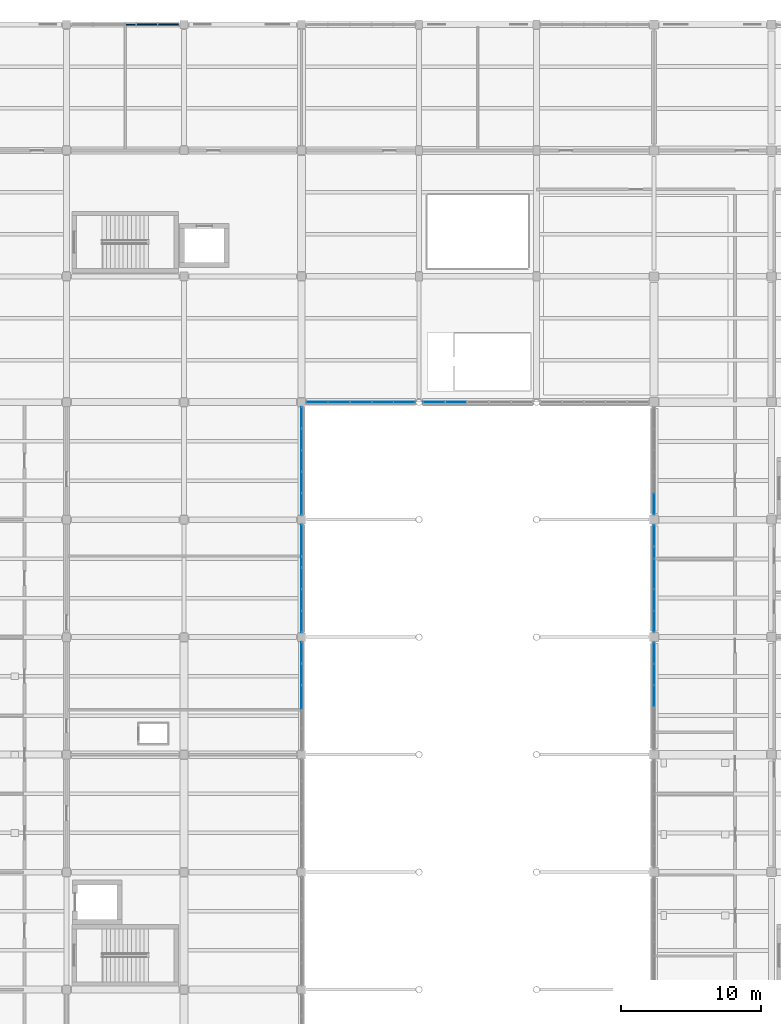
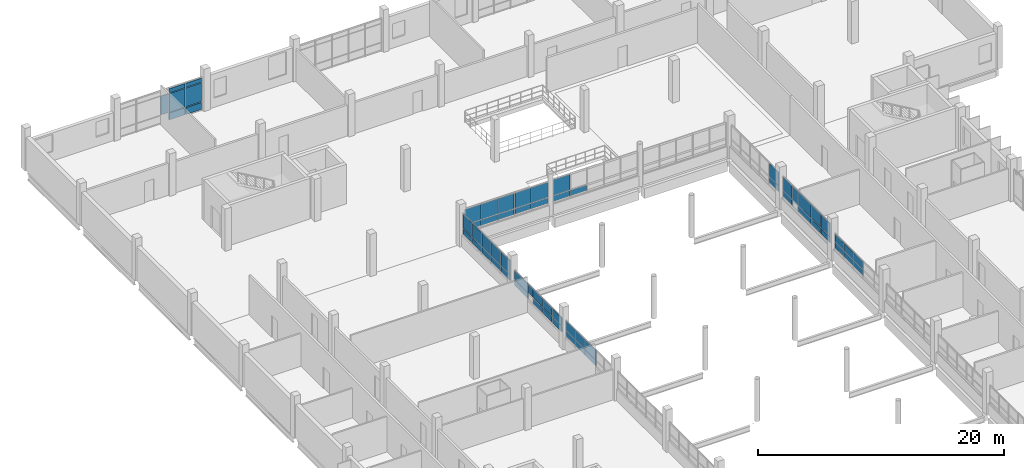
# One storey, part 77 of 101: 62 plates, 9 elements without a shape of their own.
"""IFC4 building model written with IfcOpenShell, lengths in metres."""

import ifcopenshell
import ifcopenshell.guid

model = None  # the IFC model being written
_history = None  # IfcOwnerHistory: only IFC2X3 demands one
_inside = {}  # id of a spatial element -> (the spatial element, [elements in it])
_under = {}  # id of a project, library or spatial element -> (it, [spatial elements below it])
_declared = {}  # id of a project -> (the project, [libraries it declares])
_typed = {}  # id of a type object -> (the type object, [elements of that type])
_made_of = {}  # id of a material, layer set ... -> (it, [elements and type objects made of it])


def new_model(schema):
    """Start an empty IFC model of exactly this schema.

    Asked for "IFC4X3", IfcOpenShell would pick the latest addendum, in which some entities
    have other attributes; the version numbers below select the first issue.
    IFC2X3 requires an IfcOwnerHistory on every rooted entity: one is made here for all.
    """
    global model, _history
    if schema == "IFC4X3":
        model = ifcopenshell.file(schema_version=(4, 3, 0, 0))
    else:
        model = ifcopenshell.file(schema=schema)
    _inside.clear()
    _under.clear()
    _declared.clear()
    _typed.clear()
    _made_of.clear()
    _history = None
    if model.schema == "IFC2X3":
        org = make("IfcOrganization", Name="unknown")
        user = make(
            "IfcPersonAndOrganization",
            ThePerson=make("IfcPerson", FamilyName="unknown"),
            TheOrganization=org,
        )
        app = make(
            "IfcApplication",
            ApplicationDeveloper=org,
            Version="unknown",
            ApplicationFullName="unknown",
            ApplicationIdentifier="unknown",
        )
        _history = make(
            "IfcOwnerHistory",
            OwningUser=user,
            OwningApplication=app,
            ChangeAction="ADDED",
            CreationDate=0,
        )
    return model


def make(cls, **values):
    """One entity of the class cls with the attributes given. An attribute that is None is left unset."""
    return model.create_entity(
        cls, **{name: value for name, value in values.items() if value is not None}
    )


def rooted(cls, **values):
    """An entity with a GlobalId (a new one), such as an element, a storey or a relation."""
    return make(cls, GlobalId=ifcopenshell.guid.new(), OwnerHistory=_history, **values)


def si_unit(unit_type, name, prefix=None):
    """IfcSIUnit, for example si_unit("LENGTHUNIT", "METRE", prefix="MILLI")."""
    return make("IfcSIUnit", UnitType=unit_type, Prefix=prefix, Name=name)


def assignment(units):
    """IfcUnitAssignment: the units of a project."""
    return None if units is None else make("IfcUnitAssignment", Units=units)


def point(xyz):
    """IfcCartesianPoint."""
    return None if xyz is None else make("IfcCartesianPoint", Coordinates=xyz)


def direction(xyz):
    """IfcDirection."""
    return None if xyz is None else make("IfcDirection", DirectionRatios=xyz)


def frame(location, z_axis=None, x_axis=None):
    """IfcAxis2Placement3D, a coordinate frame: its origin and axes. An axis left out is left unset."""
    return make(
        "IfcAxis2Placement3D",
        Location=point(location),
        Axis=direction(z_axis),
        RefDirection=direction(x_axis),
    )


def frame_2d(location, x_axis=None):
    """IfcAxis2Placement2D, a coordinate frame in the plane: its origin and x axis."""
    return make(
        "IfcAxis2Placement2D", Location=point(location), RefDirection=direction(x_axis)
    )


def origin():
    """The frame at (0, 0, 0) with its axes left unset."""
    return frame((0.0, 0.0, 0.0))


def origin_2d():
    """The frame at (0, 0) in the plane with its x axis left unset."""
    return frame_2d((0.0, 0.0))


def place(relative_to, where):
    """IfcLocalPlacement: puts the frame where relative to a parent placement (None: the world)."""
    return make(
        "IfcLocalPlacement", PlacementRelTo=relative_to, RelativePlacement=where
    )


def context(
    kind, dimensions, precision=None, world=None, true_north=None, identifier=None
):
    """IfcGeometricRepresentationContext, for example the 3D "Model" context."""
    return make(
        "IfcGeometricRepresentationContext",
        ContextIdentifier=identifier,
        ContextType=kind,
        CoordinateSpaceDimension=dimensions,
        Precision=precision,
        WorldCoordinateSystem=world,
        TrueNorth=true_north,
    )


def subcontext(parent, identifier, kind, view, scale=None):
    """IfcGeometricRepresentationSubContext, for example "Body" below "Model"."""
    return make(
        "IfcGeometricRepresentationSubContext",
        ContextIdentifier=identifier,
        ContextType=kind,
        ParentContext=parent,
        TargetScale=scale,
        TargetView=view,
    )


def project(units=None, contexts=None):
    """IfcProject with its units and contexts."""
    return rooted(
        "IfcProject",
        Name="project",
        RepresentationContexts=contexts,
        UnitsInContext=assignment(units),
    )


def spatial(cls, under=None, at=None, **own):
    """A site, building, storey or space (cls), placed at a placement, below another one or the project."""
    s = rooted(cls, ObjectPlacement=at, **own)
    if under is not None:
        _under.setdefault(under.id(), (under, []))[1].append(s)
    return s


def profile(cls, at=None, kind="AREA", **sizes):
    """A parametric profile (cls). Its sizes go by their IFC names, for example OverallWidth=200.0."""
    return make(cls, ProfileType=kind, Position=at, **sizes)


def rectangle(**sizes):
    """IfcRectangleProfileDef."""
    return profile("IfcRectangleProfileDef", **sizes)


def extrude(swept, where, along, depth):
    """IfcExtrudedAreaSolid: the profile swept, set in the frame where, extruded along a direction by depth."""
    return make(
        "IfcExtrudedAreaSolid",
        SweptArea=swept,
        Position=where,
        ExtrudedDirection=direction(along),
        Depth=depth,
    )


def shape(context_of_items, identifier, shape_type, items):
    """IfcShapeRepresentation: the items that make up one representation, for example the "Body"."""
    return make(
        "IfcShapeRepresentation",
        ContextOfItems=context_of_items,
        RepresentationIdentifier=identifier,
        RepresentationType=shape_type,
        Items=items,
    )


def material(Name=None, Category=None):
    """IfcMaterial."""
    return make("IfcMaterial", Name=Name, Category=Category)


def layer(
    of_material, thickness, ventilated=None, Name=None, Category=None, Priority=None
):
    """IfcMaterialLayer: one layer of a wall or slab, of a material (None: an air gap)."""
    return make(
        "IfcMaterialLayer",
        Material=of_material,
        LayerThickness=thickness,
        IsVentilated=ventilated,
        Name=Name,
        Category=Category,
        Priority=Priority,
    )


def layer_set(layers, Name=None):
    """IfcMaterialLayerSet."""
    return make("IfcMaterialLayerSet", MaterialLayers=layers, LayerSetName=Name)


def made_of(thing, what):
    """Note that an element or type object is made of a material, layer set ...; save() writes the relation."""
    if what is not None:
        _made_of.setdefault(what.id(), (what, []))[1].append(thing)
    return thing


def type_object(cls, material=None, **own):
    """A type object (cls), such as IfcWallType, which elements share."""
    return made_of(rooted(cls, **own), material)


def element(
    cls,
    number,
    at=None,
    inside=None,
    cuts=None,
    type_object=None,
    material=None,
    context=None,
    identifier="Body",
    shape_type=None,
    held_by="IfcProductDefinitionShape",
    body=None,
    shapes=None,
    **own,
):
    """One element of the class cls, such as IfcWall. Its Tag is "e" and its number.

    at: its placement. inside: the storey or other place that contains it. cuts: it is an
    opening in that element (IfcRelVoidsElement). A single representation is given by context,
    identifier, shape_type and body (its items); several are given by shapes. held_by: the class
    of the entity that holds the representations. save() writes the other relations.
    """
    e = rooted(cls, Tag="e%d" % number, ObjectPlacement=at, **own)
    if body is not None:
        shapes = [shape(context, identifier, shape_type, body)]
    if shapes is not None:
        e.Representation = make(held_by, Representations=shapes)
    if inside is not None:
        _inside.setdefault(inside.id(), (inside, []))[1].append(e)
    if cuts is not None:
        rooted(
            "IfcRelVoidsElement", RelatingBuildingElement=cuts, RelatedOpeningElement=e
        )
    if type_object is not None:
        _typed.setdefault(type_object.id(), (type_object, []))[1].append(e)
    return made_of(e, material)


def aggregate(whole, parts):
    """IfcRelAggregates: a whole, such as a stair, and the parts it consists of."""
    return rooted("IfcRelAggregates", RelatingObject=whole, RelatedObjects=parts)


def save(model, path):
    """Write the relations noted so far, then the file.

    IfcRelAggregates (storeys below a building ...), IfcRelContainedInSpatialStructure (elements
    in a storey), IfcRelDefinesByType, IfcRelAssociatesMaterial and IfcRelDeclares: one each for
    every whole, place, type object, material and project.
    """
    for whole, parts in _under.values():
        aggregate(whole, parts)
    for where, things in _inside.values():
        rooted(
            "IfcRelContainedInSpatialStructure",
            RelatedElements=things,
            RelatingStructure=where,
        )
    for kind, things in _typed.values():
        rooted("IfcRelDefinesByType", RelatedObjects=things, RelatingType=kind)
    for what, things in _made_of.values():
        rooted("IfcRelAssociatesMaterial", RelatedObjects=things, RelatingMaterial=what)
    for by, libraries in _declared.values():
        rooted("IfcRelDeclares", RelatingContext=by, RelatedDefinitions=libraries)
    model.write(path)


model = new_model("IFC4")

# Units and contexts
model_context = context("Model", 3, precision=1e-05, world=origin(), true_north=direction((0.0, 1.0)))
body_context = subcontext(model_context, "Body", "Model", "MODEL_VIEW")
ifc_project = project(units=[si_unit("LENGTHUNIT", "METRE"), si_unit("AREAUNIT", "SQUARE_METRE"), si_unit("VOLUMEUNIT", "CUBIC_METRE"), si_unit("PLANEANGLEUNIT", "RADIAN"), si_unit("MASSUNIT", "GRAM", prefix="KILO")], contexts=[model_context])

# Site, building, storey
site_placement = place(None, origin())
site = spatial("IfcSite", under=ifc_project, at=site_placement, CompositionType="ELEMENT")
building_placement = place(site_placement, origin())
building = spatial("IfcBuilding", under=site, at=building_placement, Name="Vireocrest Preparatory School", CompositionType="ELEMENT")
storey_placement = place(building_placement, frame((0.0, 0.0, 4.800048828125)))
storey = spatial("IfcBuildingStorey", under=building, at=storey_placement, Name="L01", CompositionType="ELEMENT", Elevation=4.800048828125)

# Curtain wall, plates
ifc_material_1 = material(Name="Thermally broken aluminium EN AW-6063-T6", Category="aluminium")
ifc_layer_1 = layer(ifc_material_1, 0.179931640625)
ifc_layer_set_1 = layer_set([ifc_layer_1], Name="Thermally broken aluminium EN AW-6063-T6")
curtain_wall_type_1 = type_object("IfcCurtainWallType", Name="North Street Curtain Wall 8400x4000", PredefinedType="USERDEFINED", material=ifc_layer_set_1)
curtain_wall_1_placement = place(storey_placement, origin())
curtain_wall_1 = element("IfcCurtainWall", 1, at=curtain_wall_1_placement, inside=storey, type_object=curtain_wall_type_1, Name="Curtain Wall CW05 CW_L01_CW05_0507_1128_048", ObjectType="CURTAIN WALL", PredefinedType="USERDEFINED")
ifc_material_2 = material(Name="Insulated triple low-e tempered safety glass", Category="glass")
ifc_layer_2 = layer(ifc_material_2, 0.074951171875)
ifc_layer_set_2 = layer_set([ifc_layer_2], Name="Insulated triple low-e tempered safety glass")
plate_type_1 = type_object("IfcPlateType", Name="Acoustic Triple-Glazed Lab Curtain Panel 75", PredefinedType="CURTAIN_PANEL", material=ifc_layer_set_2)
plate_1_placement = place(storey_placement, frame((54.986572265625, 112.800048828125, 0.882568359375), z_axis=(0.0, 0.0, 1.0), x_axis=(1.0, 0.0, 0.0)))
plate_1 = element("IfcPlate", 2, at=plate_1_placement, type_object=plate_type_1, Name="CW Panel GL2 CW_L01_CW05_0507_1128_048-3-2", PredefinedType="CURTAIN_PANEL", context=body_context, shape_type="SweptSolid", body=[
    extrude(rectangle(XDim=0.7080078125, YDim=0.074951171875, at=origin_2d()), origin(), (0.0, 0.0, 1.0), 1.85498046875),
])
plate_2_placement = place(storey_placement, frame((56.14599609375, 112.800048828125, 0.882568359375), z_axis=(0.0, 0.0, 1.0), x_axis=(1.0, 0.0, 0.0)))
plate_2 = element("IfcPlate", 3, at=plate_2_placement, type_object=plate_type_1, Name="CW Panel GL2 CW_L01_CW05_0507_1128_048-4-2", PredefinedType="CURTAIN_PANEL", context=body_context, shape_type="SweptSolid", body=[
    extrude(rectangle(XDim=1.48095703125, YDim=0.074951171875, at=origin_2d()), origin(), (0.0, 0.0, 1.0), 1.85498046875),
])
plate_3_placement = place(storey_placement, frame((56.14599609375, 112.800048828125, 2.802734375), z_axis=(0.0, 0.0, 1.0), x_axis=(1.0, 0.0, 0.0)))
plate_3 = element("IfcPlate", 4, at=plate_3_placement, type_object=plate_type_1, Name="CW Panel GL2 CW_L01_CW05_0507_1128_048-4-3", PredefinedType="CURTAIN_PANEL", context=body_context, shape_type="SweptSolid", body=[
    extrude(rectangle(XDim=1.48095703125, YDim=0.074951171875, at=origin_2d()), origin(), (0.0, 0.0, 1.0), 0.409912109375),
])
plate_4_placement = place(storey_placement, frame((57.69189453125, 112.800048828125, 0.882568359375), z_axis=(0.0, 0.0, 1.0), x_axis=(1.0, 0.0, 0.0)))
plate_4 = element("IfcPlate", 5, at=plate_4_placement, type_object=plate_type_1, Name="CW Panel GL2 CW_L01_CW05_0507_1128_048-5-2", PredefinedType="CURTAIN_PANEL", context=body_context, shape_type="SweptSolid", body=[
    extrude(rectangle(XDim=1.48095703125, YDim=0.074951171875, at=origin_2d()), origin(), (0.0, 0.0, 1.0), 1.85498046875),
])
plate_5_placement = place(storey_placement, frame((57.69189453125, 112.800048828125, 2.802734375), z_axis=(0.0, 0.0, 1.0), x_axis=(1.0, 0.0, 0.0)))
plate_5 = element("IfcPlate", 6, at=plate_5_placement, type_object=plate_type_1, Name="CW Panel GL2 CW_L01_CW05_0507_1128_048-5-3", PredefinedType="CURTAIN_PANEL", context=body_context, shape_type="SweptSolid", body=[
    extrude(rectangle(XDim=1.48095703125, YDim=0.074951171875, at=origin_2d()), origin(), (0.0, 0.0, 1.0), 0.409912109375),
])
ifc_material_3 = material(Name="Painted white aluminium cladding EN AW-6063-T6", Category="aluminium")
ifc_layer_3 = layer(ifc_material_3, 0.114990234375)
ifc_layer_set_3 = layer_set([ifc_layer_3], Name="Painted white aluminium cladding EN AW-6063-T6")
plate_type_2 = type_object("IfcPlateType", Name="Insulated White Spandrel Curtain Panel 115", PredefinedType="CURTAIN_PANEL", material=ifc_layer_set_3)
plate_6_placement = place(storey_placement, frame((56.14599609375, 112.800048828125, 0.12744140625), z_axis=(0.0, 0.0, 1.0), x_axis=(1.0, 0.0, 0.0)))
plate_6 = element("IfcPlate", 7, at=plate_6_placement, type_object=plate_type_2, Name="CW Panel SP2 CW_L01_CW05_0507_1128_048-4-1", PredefinedType="CURTAIN_PANEL", context=body_context, shape_type="SweptSolid", body=[
    extrude(rectangle(XDim=1.48095703125, YDim=0.114990234375, at=origin_2d()), origin(), (0.0, 0.0, 1.0), 0.68994140625),
])
plate_7_placement = place(storey_placement, frame((57.69189453125, 112.800048828125, 0.12744140625), z_axis=(0.0, 0.0, 1.0), x_axis=(1.0, 0.0, 0.0)))
plate_7 = element("IfcPlate", 8, at=plate_7_placement, type_object=plate_type_2, Name="CW Panel SP2 CW_L01_CW05_0507_1128_048-5-1", PredefinedType="CURTAIN_PANEL", context=body_context, shape_type="SweptSolid", body=[
    extrude(rectangle(XDim=1.48095703125, YDim=0.114990234375, at=origin_2d()), origin(), (0.0, 0.0, 1.0), 0.68994140625),
])
aggregate(curtain_wall_1, [plate_1, plate_6, plate_2, plate_3, plate_7, plate_4, plate_5])

ifc_layer_4 = layer(ifc_material_1, 0.179931640625)
ifc_layer_set_4 = layer_set([ifc_layer_4], Name="Thermally broken aluminium EN AW-6063-T6")
curtain_wall_type_2 = type_object("IfcCurtainWallType", Name="Court Banded Curtain Wall 8400x3000", PredefinedType="USERDEFINED", material=ifc_layer_set_4)
curtain_wall_2_placement = place(storey_placement, origin())
curtain_wall_2 = element("IfcCurtainWall", 9, at=curtain_wall_2_placement, inside=storey, type_object=curtain_wall_type_2, Name="Curtain Wall CW02 CW_L01_CW02_0672_0609_060", ObjectType="CURTAIN WALL", PredefinedType="USERDEFINED")
ifc_layer_5 = layer(ifc_material_2, 0.06005859375)
ifc_layer_set_5 = layer_set([ifc_layer_5], Name="Insulated triple low-e tempered safety glass")
plate_type_3 = type_object("IfcPlateType", Name="Triple-Glazed Vision Curtain Panel 60", PredefinedType="CURTAIN_PANEL", material=ifc_layer_set_5)
plate_8_placement = place(storey_placement, frame((67.199951171875, 64.6865234375, 1.27734375), z_axis=(0.0, 0.0, 1.0), x_axis=(0.0, 1.0, 0.0)))
plate_8 = element("IfcPlate", 10, at=plate_8_placement, type_object=plate_type_3, Name="CW Panel GL1 CW_L01_CW02_0672_0609_060-3-1", PredefinedType="CURTAIN_PANEL", context=body_context, shape_type="SweptSolid", body=[
    extrude(rectangle(XDim=1.7080078125, YDim=0.06005859375, at=origin_2d()), origin(), (0.0, 0.0, 1.0), 0.5400390625),
])
plate_9_placement = place(storey_placement, frame((67.199951171875, 64.6865234375, 1.882568359375), z_axis=(0.0, 0.0, 1.0), x_axis=(0.0, 1.0, 0.0)))
plate_9 = element("IfcPlate", 11, at=plate_9_placement, type_object=plate_type_3, Name="CW Panel GL1 CW_L01_CW02_0672_0609_060-3-2", PredefinedType="CURTAIN_PANEL", context=body_context, shape_type="SweptSolid", body=[
    extrude(rectangle(XDim=1.7080078125, YDim=0.06005859375, at=origin_2d()), origin(), (0.0, 0.0, 1.0), 0.919921875),
])
plate_10_placement = place(storey_placement, frame((67.199951171875, 66.345947265625, 1.27734375), z_axis=(0.0, 0.0, 1.0), x_axis=(0.0, 1.0, 0.0)))
plate_10 = element("IfcPlate", 12, at=plate_10_placement, type_object=plate_type_3, Name="CW Panel GL1 CW_L01_CW02_0672_0609_060-4-1", PredefinedType="CURTAIN_PANEL", context=body_context, shape_type="SweptSolid", body=[
    extrude(rectangle(XDim=1.48095703125, YDim=0.06005859375, at=origin_2d()), origin(), (0.0, 0.0, 1.0), 0.5400390625),
])
plate_11_placement = place(storey_placement, frame((67.199951171875, 66.345947265625, 1.882568359375), z_axis=(0.0, 0.0, 1.0), x_axis=(0.0, 1.0, 0.0)))
plate_11 = element("IfcPlate", 13, at=plate_11_placement, type_object=plate_type_3, Name="CW Panel GL1 CW_L01_CW02_0672_0609_060-4-2", PredefinedType="CURTAIN_PANEL", context=body_context, shape_type="SweptSolid", body=[
    extrude(rectangle(XDim=1.48095703125, YDim=0.06005859375, at=origin_2d()), origin(), (0.0, 0.0, 1.0), 0.919921875),
])
plate_12_placement = place(storey_placement, frame((67.199951171875, 67.89208984375, 1.27734375), z_axis=(0.0, 0.0, 1.0), x_axis=(0.0, 1.0, 0.0)))
plate_12 = element("IfcPlate", 14, at=plate_12_placement, type_object=plate_type_3, Name="CW Panel GL1 CW_L01_CW02_0672_0609_060-5-1", PredefinedType="CURTAIN_PANEL", context=body_context, shape_type="SweptSolid", body=[
    extrude(rectangle(XDim=1.48095703125, YDim=0.06005859375, at=origin_2d()), origin(), (0.0, 0.0, 1.0), 0.5400390625),
])
plate_13_placement = place(storey_placement, frame((67.199951171875, 67.89208984375, 1.882568359375), z_axis=(0.0, 0.0, 1.0), x_axis=(0.0, 1.0, 0.0)))
plate_13 = element("IfcPlate", 15, at=plate_13_placement, type_object=plate_type_3, Name="CW Panel GL1 CW_L01_CW02_0672_0609_060-5-2", PredefinedType="CURTAIN_PANEL", context=body_context, shape_type="SweptSolid", body=[
    extrude(rectangle(XDim=1.48095703125, YDim=0.06005859375, at=origin_2d()), origin(), (0.0, 0.0, 1.0), 0.919921875),
])
aggregate(curtain_wall_2, [plate_8, plate_9, plate_10, plate_11, plate_12, plate_13])

curtain_wall_3_placement = place(storey_placement, origin())
curtain_wall_3 = element("IfcCurtainWall", 16, at=curtain_wall_3_placement, inside=storey, type_object=curtain_wall_type_2, Name="Curtain Wall CW02 CW_L01_CW02_0672_0693_060", ObjectType="CURTAIN WALL", PredefinedType="USERDEFINED")
plate_14_placement = place(storey_placement, frame((67.199951171875, 70.10791015625, 1.27734375), z_axis=(0.0, 0.0, 1.0), x_axis=(0.0, 1.0, 0.0)))
plate_14 = element("IfcPlate", 17, at=plate_14_placement, type_object=plate_type_3, Name="CW Panel GL1 CW_L01_CW02_0672_0693_060-1-1", PredefinedType="CURTAIN_PANEL", context=body_context, shape_type="SweptSolid", body=[
    extrude(rectangle(XDim=1.48095703125, YDim=0.06005859375, at=origin_2d()), origin(), (0.0, 0.0, 1.0), 0.5400390625),
])
plate_15_placement = place(storey_placement, frame((67.199951171875, 70.10791015625, 1.88232421875), z_axis=(0.0, 0.0, 1.0), x_axis=(0.0, 1.0, 0.0)))
plate_15 = element("IfcPlate", 18, at=plate_15_placement, type_object=plate_type_3, Name="CW Panel GL1 CW_L01_CW02_0672_0693_060-1-2", PredefinedType="CURTAIN_PANEL", context=body_context, shape_type="SweptSolid", body=[
    extrude(rectangle(XDim=1.48095703125, YDim=0.06005859375, at=origin_2d()), origin(), (0.0, 0.0, 1.0), 0.820068359375),
])
plate_16_placement = place(storey_placement, frame((67.199951171875, 71.654052734375, 1.27734375), z_axis=(0.0, 0.0, 1.0), x_axis=(0.0, 1.0, 0.0)))
plate_16 = element("IfcPlate", 19, at=plate_16_placement, type_object=plate_type_3, Name="CW Panel GL1 CW_L01_CW02_0672_0693_060-2-1", PredefinedType="CURTAIN_PANEL", context=body_context, shape_type="SweptSolid", body=[
    extrude(rectangle(XDim=1.48095703125, YDim=0.06005859375, at=origin_2d()), origin(), (0.0, 0.0, 1.0), 0.5400390625),
])
plate_17_placement = place(storey_placement, frame((67.199951171875, 71.654052734375, 1.88232421875), z_axis=(0.0, 0.0, 1.0), x_axis=(0.0, 1.0, 0.0)))
plate_17 = element("IfcPlate", 20, at=plate_17_placement, type_object=plate_type_3, Name="CW Panel GL1 CW_L01_CW02_0672_0693_060-2-2", PredefinedType="CURTAIN_PANEL", context=body_context, shape_type="SweptSolid", body=[
    extrude(rectangle(XDim=1.48095703125, YDim=0.06005859375, at=origin_2d()), origin(), (0.0, 0.0, 1.0), 0.820068359375),
])
plate_18_placement = place(storey_placement, frame((67.199951171875, 73.199951171875, 1.27734375), z_axis=(0.0, 0.0, 1.0), x_axis=(0.0, 1.0, 0.0)))
plate_18 = element("IfcPlate", 21, at=plate_18_placement, type_object=plate_type_3, Name="CW Panel GL1 CW_L01_CW02_0672_0693_060-3-1", PredefinedType="CURTAIN_PANEL", context=body_context, shape_type="SweptSolid", body=[
    extrude(rectangle(XDim=1.48095703125, YDim=0.06005859375, at=origin_2d()), origin(), (0.0, 0.0, 1.0), 0.5400390625),
])
plate_19_placement = place(storey_placement, frame((67.199951171875, 73.199951171875, 1.88232421875), z_axis=(0.0, 0.0, 1.0), x_axis=(0.0, 1.0, 0.0)))
plate_19 = element("IfcPlate", 22, at=plate_19_placement, type_object=plate_type_3, Name="CW Panel GL1 CW_L01_CW02_0672_0693_060-3-2", PredefinedType="CURTAIN_PANEL", context=body_context, shape_type="SweptSolid", body=[
    extrude(rectangle(XDim=1.48095703125, YDim=0.06005859375, at=origin_2d()), origin(), (0.0, 0.0, 1.0), 0.820068359375),
])
plate_20_placement = place(storey_placement, frame((67.199951171875, 74.386474609375, 1.88232421875), z_axis=(0.0, 0.0, 1.0), x_axis=(0.0, 1.0, 0.0)))
plate_20 = element("IfcPlate", 23, at=plate_20_placement, type_object=plate_type_3, Name="CW Panel GL1 CW_L01_CW02_0672_0693_060-4-2", PredefinedType="CURTAIN_PANEL", context=body_context, shape_type="SweptSolid", body=[
    extrude(rectangle(XDim=0.761962890625, YDim=0.06005859375, at=origin_2d()), origin(), (0.0, 0.0, 1.0), 0.820068359375),
])
plate_21_placement = place(storey_placement, frame((67.199951171875, 75.9326171875, 1.27734375), z_axis=(0.0, 0.0, 1.0), x_axis=(0.0, 1.0, 0.0)))
plate_21 = element("IfcPlate", 24, at=plate_21_placement, type_object=plate_type_3, Name="CW Panel GL1 CW_L01_CW02_0672_0693_060-5-1", PredefinedType="CURTAIN_PANEL", context=body_context, shape_type="SweptSolid", body=[
    extrude(rectangle(XDim=2.199951171875, YDim=0.06005859375, at=origin_2d()), origin(), (0.0, 0.0, 1.0), 0.5400390625),
])
plate_22_placement = place(storey_placement, frame((67.199951171875, 75.9326171875, 1.88232421875), z_axis=(0.0, 0.0, 1.0), x_axis=(0.0, 1.0, 0.0)))
plate_22 = element("IfcPlate", 25, at=plate_22_placement, type_object=plate_type_3, Name="CW Panel GL1 CW_L01_CW02_0672_0693_060-5-2", PredefinedType="CURTAIN_PANEL", context=body_context, shape_type="SweptSolid", body=[
    extrude(rectangle(XDim=2.199951171875, YDim=0.06005859375, at=origin_2d()), origin(), (0.0, 0.0, 1.0), 0.820068359375),
])
aggregate(curtain_wall_3, [plate_14, plate_15, plate_16, plate_17, plate_18, plate_19, plate_20, plate_21, plate_22])

curtain_wall_4_placement = place(storey_placement, origin())
curtain_wall_4 = element("IfcCurtainWall", 26, at=curtain_wall_4_placement, inside=storey, type_object=curtain_wall_type_2, Name="Curtain Wall CW02 CW_L01_CW02_0672_0777_060", ObjectType="CURTAIN WALL", PredefinedType="USERDEFINED")
plate_23_placement = place(storey_placement, frame((67.199951171875, 78.508056640625, 1.27734375), z_axis=(0.0, 0.0, 1.0), x_axis=(0.0, 1.0, 0.0)))
plate_23 = element("IfcPlate", 27, at=plate_23_placement, type_object=plate_type_3, Name="CW Panel GL1 CW_L01_CW02_0672_0777_060-1-1", PredefinedType="CURTAIN_PANEL", context=body_context, shape_type="SweptSolid", body=[
    extrude(rectangle(XDim=1.48095703125, YDim=0.06005859375, at=origin_2d()), origin(), (0.0, 0.0, 1.0), 0.5400390625),
])
plate_24_placement = place(storey_placement, frame((67.199951171875, 78.508056640625, 1.88232421875), z_axis=(0.0, 0.0, 1.0), x_axis=(0.0, 1.0, 0.0)))
plate_24 = element("IfcPlate", 28, at=plate_24_placement, type_object=plate_type_3, Name="CW Panel GL1 CW_L01_CW02_0672_0777_060-1-2", PredefinedType="CURTAIN_PANEL", context=body_context, shape_type="SweptSolid", body=[
    extrude(rectangle(XDim=1.48095703125, YDim=0.06005859375, at=origin_2d()), origin(), (0.0, 0.0, 1.0), 1.3701171875),
])
plate_25_placement = place(storey_placement, frame((67.199951171875, 80.053955078125, 1.27734375), z_axis=(0.0, 0.0, 1.0), x_axis=(0.0, 1.0, 0.0)))
plate_25 = element("IfcPlate", 29, at=plate_25_placement, type_object=plate_type_3, Name="CW Panel GL1 CW_L01_CW02_0672_0777_060-2-1", PredefinedType="CURTAIN_PANEL", context=body_context, shape_type="SweptSolid", body=[
    extrude(rectangle(XDim=1.48095703125, YDim=0.06005859375, at=origin_2d()), origin(), (0.0, 0.0, 1.0), 0.5400390625),
])
plate_26_placement = place(storey_placement, frame((67.199951171875, 80.053955078125, 1.88232421875), z_axis=(0.0, 0.0, 1.0), x_axis=(0.0, 1.0, 0.0)))
plate_26 = element("IfcPlate", 30, at=plate_26_placement, type_object=plate_type_3, Name="CW Panel GL1 CW_L01_CW02_0672_0777_060-2-2", PredefinedType="CURTAIN_PANEL", context=body_context, shape_type="SweptSolid", body=[
    extrude(rectangle(XDim=1.48095703125, YDim=0.06005859375, at=origin_2d()), origin(), (0.0, 0.0, 1.0), 1.3701171875),
])
plate_27_placement = place(storey_placement, frame((67.199951171875, 81.60009765625, 1.27734375), z_axis=(0.0, 0.0, 1.0), x_axis=(0.0, 1.0, 0.0)))
plate_27 = element("IfcPlate", 31, at=plate_27_placement, type_object=plate_type_3, Name="CW Panel GL1 CW_L01_CW02_0672_0777_060-3-1", PredefinedType="CURTAIN_PANEL", context=body_context, shape_type="SweptSolid", body=[
    extrude(rectangle(XDim=1.48095703125, YDim=0.06005859375, at=origin_2d()), origin(), (0.0, 0.0, 1.0), 0.5400390625),
])
plate_28_placement = place(storey_placement, frame((67.199951171875, 81.60009765625, 1.88232421875), z_axis=(0.0, 0.0, 1.0), x_axis=(0.0, 1.0, 0.0)))
plate_28 = element("IfcPlate", 32, at=plate_28_placement, type_object=plate_type_3, Name="CW Panel GL1 CW_L01_CW02_0672_0777_060-3-2", PredefinedType="CURTAIN_PANEL", context=body_context, shape_type="SweptSolid", body=[
    extrude(rectangle(XDim=1.48095703125, YDim=0.06005859375, at=origin_2d()), origin(), (0.0, 0.0, 1.0), 1.3701171875),
])
plate_29_placement = place(storey_placement, frame((67.199951171875, 83.14599609375, 1.27734375), z_axis=(0.0, 0.0, 1.0), x_axis=(0.0, 1.0, 0.0)))
plate_29 = element("IfcPlate", 33, at=plate_29_placement, type_object=plate_type_3, Name="CW Panel GL1 CW_L01_CW02_0672_0777_060-4-1", PredefinedType="CURTAIN_PANEL", context=body_context, shape_type="SweptSolid", body=[
    extrude(rectangle(XDim=1.48095703125, YDim=0.06005859375, at=origin_2d()), origin(), (0.0, 0.0, 1.0), 0.5400390625),
])
plate_30_placement = place(storey_placement, frame((67.199951171875, 83.14599609375, 1.88232421875), z_axis=(0.0, 0.0, 1.0), x_axis=(0.0, 1.0, 0.0)))
plate_30 = element("IfcPlate", 34, at=plate_30_placement, type_object=plate_type_3, Name="CW Panel GL1 CW_L01_CW02_0672_0777_060-4-2", PredefinedType="CURTAIN_PANEL", context=body_context, shape_type="SweptSolid", body=[
    extrude(rectangle(XDim=1.48095703125, YDim=0.06005859375, at=origin_2d()), origin(), (0.0, 0.0, 1.0), 1.3701171875),
])
plate_31_placement = place(storey_placement, frame((67.199951171875, 84.69189453125, 1.27734375), z_axis=(0.0, 0.0, 1.0), x_axis=(0.0, 1.0, 0.0)))
plate_31 = element("IfcPlate", 35, at=plate_31_placement, type_object=plate_type_3, Name="CW Panel GL1 CW_L01_CW02_0672_0777_060-5-1", PredefinedType="CURTAIN_PANEL", context=body_context, shape_type="SweptSolid", body=[
    extrude(rectangle(XDim=1.48095703125, YDim=0.06005859375, at=origin_2d()), origin(), (0.0, 0.0, 1.0), 0.5400390625),
])
plate_32_placement = place(storey_placement, frame((67.199951171875, 84.69189453125, 1.88232421875), z_axis=(0.0, 0.0, 1.0), x_axis=(0.0, 1.0, 0.0)))
plate_32 = element("IfcPlate", 36, at=plate_32_placement, type_object=plate_type_3, Name="CW Panel GL1 CW_L01_CW02_0672_0777_060-5-2", PredefinedType="CURTAIN_PANEL", context=body_context, shape_type="SweptSolid", body=[
    extrude(rectangle(XDim=1.48095703125, YDim=0.06005859375, at=origin_2d()), origin(), (0.0, 0.0, 1.0), 1.3701171875),
])
aggregate(curtain_wall_4, [plate_23, plate_24, plate_25, plate_26, plate_27, plate_28, plate_29, plate_30, plate_31, plate_32])

ifc_layer_6 = layer(ifc_material_1, 0.179931640625)
ifc_layer_set_6 = layer_set([ifc_layer_6], Name="Thermally broken aluminium EN AW-6063-T6")
curtain_wall_type_3 = type_object("IfcCurtainWallType", Name="Court Banded Curtain Wall 8400x3600", PredefinedType="USERDEFINED", material=ifc_layer_set_6)
curtain_wall_5_placement = place(storey_placement, origin())
curtain_wall_5 = element("IfcCurtainWall", 37, at=curtain_wall_5_placement, inside=storey, type_object=curtain_wall_type_3, Name="Curtain Wall CW01 CW_L01_CW01_0675_0858_059", ObjectType="CURTAIN WALL", PredefinedType="USERDEFINED")
plate_33_placement = place(storey_placement, frame((68.315185546875, 85.800048828125, 1.2275390625), z_axis=(0.0, 0.0, 1.0), x_axis=(1.0, 0.0, 0.0)))
plate_33 = element("IfcPlate", 38, at=plate_33_placement, type_object=plate_type_3, Name="CW Panel GL1 CW_L01_CW01_0675_0858_059-1-1", PredefinedType="CURTAIN_PANEL", context=body_context, shape_type="SweptSolid", body=[
    extrude(rectangle(XDim=1.495361328125, YDim=0.06005859375, at=origin_2d()), origin(), (0.0, 0.0, 1.0), 0.5400390625),
])
plate_34_placement = place(storey_placement, frame((68.315185546875, 85.800048828125, 1.83251953125), z_axis=(0.0, 0.0, 1.0), x_axis=(1.0, 0.0, 0.0)))
plate_34 = element("IfcPlate", 39, at=plate_34_placement, type_object=plate_type_3, Name="CW Panel GL1 CW_L01_CW01_0675_0858_059-1-2", PredefinedType="CURTAIN_PANEL", context=body_context, shape_type="SweptSolid", body=[
    extrude(rectangle(XDim=1.495361328125, YDim=0.06005859375, at=origin_2d()), origin(), (0.0, 0.0, 1.0), 1.489990234375),
])
plate_35_placement = place(storey_placement, frame((69.87548828125, 85.800048828125, 1.2275390625), z_axis=(0.0, 0.0, 1.0), x_axis=(1.0, 0.0, 0.0)))
plate_35 = element("IfcPlate", 40, at=plate_35_placement, type_object=plate_type_3, Name="CW Panel GL1 CW_L01_CW01_0675_0858_059-2-1", PredefinedType="CURTAIN_PANEL", context=body_context, shape_type="SweptSolid", body=[
    extrude(rectangle(XDim=1.495361328125, YDim=0.06005859375, at=origin_2d()), origin(), (0.0, 0.0, 1.0), 0.5400390625),
])
plate_36_placement = place(storey_placement, frame((69.87548828125, 85.800048828125, 1.83251953125), z_axis=(0.0, 0.0, 1.0), x_axis=(1.0, 0.0, 0.0)))
plate_36 = element("IfcPlate", 41, at=plate_36_placement, type_object=plate_type_3, Name="CW Panel GL1 CW_L01_CW01_0675_0858_059-2-2", PredefinedType="CURTAIN_PANEL", context=body_context, shape_type="SweptSolid", body=[
    extrude(rectangle(XDim=1.495361328125, YDim=0.06005859375, at=origin_2d()), origin(), (0.0, 0.0, 1.0), 1.489990234375),
])
plate_37_placement = place(storey_placement, frame((71.435791015625, 85.800048828125, 1.2275390625), z_axis=(0.0, 0.0, 1.0), x_axis=(1.0, 0.0, 0.0)))
plate_37 = element("IfcPlate", 42, at=plate_37_placement, type_object=plate_type_3, Name="CW Panel GL1 CW_L01_CW01_0675_0858_059-3-1", PredefinedType="CURTAIN_PANEL", context=body_context, shape_type="SweptSolid", body=[
    extrude(rectangle(XDim=1.4951171875, YDim=0.06005859375, at=origin_2d()), origin(), (0.0, 0.0, 1.0), 0.5400390625),
])
plate_38_placement = place(storey_placement, frame((71.435791015625, 85.800048828125, 1.83251953125), z_axis=(0.0, 0.0, 1.0), x_axis=(1.0, 0.0, 0.0)))
plate_38 = element("IfcPlate", 43, at=plate_38_placement, type_object=plate_type_3, Name="CW Panel GL1 CW_L01_CW01_0675_0858_059-3-2", PredefinedType="CURTAIN_PANEL", context=body_context, shape_type="SweptSolid", body=[
    extrude(rectangle(XDim=1.4951171875, YDim=0.06005859375, at=origin_2d()), origin(), (0.0, 0.0, 1.0), 1.489990234375),
])
plate_39_placement = place(storey_placement, frame((72.995849609375, 85.800048828125, 1.2275390625), z_axis=(0.0, 0.0, 1.0), x_axis=(1.0, 0.0, 0.0)))
plate_39 = element("IfcPlate", 44, at=plate_39_placement, type_object=plate_type_3, Name="CW Panel GL1 CW_L01_CW01_0675_0858_059-4-1", PredefinedType="CURTAIN_PANEL", context=body_context, shape_type="SweptSolid", body=[
    extrude(rectangle(XDim=1.495361328125, YDim=0.06005859375, at=origin_2d()), origin(), (0.0, 0.0, 1.0), 0.5400390625),
])
plate_40_placement = place(storey_placement, frame((72.995849609375, 85.800048828125, 1.83251953125), z_axis=(0.0, 0.0, 1.0), x_axis=(1.0, 0.0, 0.0)))
plate_40 = element("IfcPlate", 45, at=plate_40_placement, type_object=plate_type_3, Name="CW Panel GL1 CW_L01_CW01_0675_0858_059-4-2", PredefinedType="CURTAIN_PANEL", context=body_context, shape_type="SweptSolid", body=[
    extrude(rectangle(XDim=1.495361328125, YDim=0.06005859375, at=origin_2d()), origin(), (0.0, 0.0, 1.0), 1.489990234375),
])
plate_41_placement = place(storey_placement, frame((74.55615234375, 85.800048828125, 1.2275390625), z_axis=(0.0, 0.0, 1.0), x_axis=(1.0, 0.0, 0.0)))
plate_41 = element("IfcPlate", 46, at=plate_41_placement, type_object=plate_type_3, Name="CW Panel GL1 CW_L01_CW01_0675_0858_059-5-1", PredefinedType="CURTAIN_PANEL", context=body_context, shape_type="SweptSolid", body=[
    extrude(rectangle(XDim=1.495361328125, YDim=0.06005859375, at=origin_2d()), origin(), (0.0, 0.0, 1.0), 0.5400390625),
])
plate_42_placement = place(storey_placement, frame((74.55615234375, 85.800048828125, 1.83251953125), z_axis=(0.0, 0.0, 1.0), x_axis=(1.0, 0.0, 0.0)))
plate_42 = element("IfcPlate", 47, at=plate_42_placement, type_object=plate_type_3, Name="CW Panel GL1 CW_L01_CW01_0675_0858_059-5-2", PredefinedType="CURTAIN_PANEL", context=body_context, shape_type="SweptSolid", body=[
    extrude(rectangle(XDim=1.495361328125, YDim=0.06005859375, at=origin_2d()), origin(), (0.0, 0.0, 1.0), 1.489990234375),
])
aggregate(curtain_wall_5, [plate_33, plate_34, plate_35, plate_36, plate_37, plate_38, plate_39, plate_40, plate_41, plate_42])

curtain_wall_6_placement = place(storey_placement, origin())
curtain_wall_6 = element("IfcCurtainWall", 48, at=curtain_wall_6_placement, inside=storey, type_object=curtain_wall_type_3, Name="Curtain Wall CW01 CW_L01_CW01_0758_0858_059", ObjectType="CURTAIN WALL", PredefinedType="USERDEFINED")
plate_43_placement = place(storey_placement, frame((76.65087890625, 85.800048828125, 1.2275390625), z_axis=(0.0, 0.0, 1.0), x_axis=(1.0, 0.0, 0.0)))
plate_43 = element("IfcPlate", 49, at=plate_43_placement, type_object=plate_type_3, Name="CW Panel GL1 CW_L01_CW01_0758_0858_059-1-1", PredefinedType="CURTAIN_PANEL", context=body_context, shape_type="SweptSolid", body=[
    extrude(rectangle(XDim=1.509521484375, YDim=0.06005859375, at=origin_2d()), origin(), (0.0, 0.0, 1.0), 0.5400390625),
])
plate_44_placement = place(storey_placement, frame((76.65087890625, 85.800048828125, 1.83251953125), z_axis=(0.0, 0.0, 1.0), x_axis=(1.0, 0.0, 0.0)))
plate_44 = element("IfcPlate", 50, at=plate_44_placement, type_object=plate_type_3, Name="CW Panel GL1 CW_L01_CW01_0758_0858_059-1-2", PredefinedType="CURTAIN_PANEL", context=body_context, shape_type="SweptSolid", body=[
    extrude(rectangle(XDim=1.509521484375, YDim=0.06005859375, at=origin_2d()), origin(), (0.0, 0.0, 1.0), 1.5400390625),
])
plate_45_placement = place(storey_placement, frame((78.2255859375, 85.800048828125, 1.2275390625), z_axis=(0.0, 0.0, 1.0), x_axis=(1.0, 0.0, 0.0)))
plate_45 = element("IfcPlate", 51, at=plate_45_placement, type_object=plate_type_3, Name="CW Panel GL1 CW_L01_CW01_0758_0858_059-2-1", PredefinedType="CURTAIN_PANEL", context=body_context, shape_type="SweptSolid", body=[
    extrude(rectangle(XDim=1.509521484375, YDim=0.06005859375, at=origin_2d()), origin(), (0.0, 0.0, 1.0), 0.5400390625),
])
aggregate(curtain_wall_6, [plate_43, plate_44, plate_45])

curtain_wall_7_placement = place(storey_placement, origin())
curtain_wall_7 = element("IfcCurtainWall", 52, at=curtain_wall_7_placement, inside=storey, type_object=curtain_wall_type_2, Name="Curtain Wall CW02 CW_L01_CW02_0924_0609_060", ObjectType="CURTAIN WALL", PredefinedType="USERDEFINED")
plate_46_placement = place(storey_placement, frame((92.39990234375, 64.800048828125, 1.27734375), z_axis=(0.0, 0.0, 1.0), x_axis=(0.0, 1.0, 0.0)))
plate_46 = element("IfcPlate", 53, at=plate_46_placement, type_object=plate_type_3, Name="CW Panel GL1 CW_L01_CW02_0924_0609_060-3-1", PredefinedType="CURTAIN_PANEL", context=body_context, shape_type="SweptSolid", body=[
    extrude(rectangle(XDim=1.470947265625, YDim=0.06005859375, at=origin_2d()), origin(), (0.0, 0.0, 1.0), 0.5400390625),
])
plate_47_placement = place(storey_placement, frame((92.39990234375, 64.800048828125, 1.88232421875), z_axis=(0.0, 0.0, 1.0), x_axis=(0.0, 1.0, 0.0)))
plate_47 = element("IfcPlate", 54, at=plate_47_placement, type_object=plate_type_3, Name="CW Panel GL1 CW_L01_CW02_0924_0609_060-3-2", PredefinedType="CURTAIN_PANEL", context=body_context, shape_type="SweptSolid", body=[
    extrude(rectangle(XDim=1.470947265625, YDim=0.06005859375, at=origin_2d()), origin(), (0.0, 0.0, 1.0), 0.760009765625),
])
plate_48_placement = place(storey_placement, frame((92.39990234375, 66.3359375, 1.27734375), z_axis=(0.0, 0.0, 1.0), x_axis=(0.0, 1.0, 0.0)))
plate_48 = element("IfcPlate", 55, at=plate_48_placement, type_object=plate_type_3, Name="CW Panel GL1 CW_L01_CW02_0924_0609_060-4-1", PredefinedType="CURTAIN_PANEL", context=body_context, shape_type="SweptSolid", body=[
    extrude(rectangle(XDim=1.470947265625, YDim=0.06005859375, at=origin_2d()), origin(), (0.0, 0.0, 1.0), 0.5400390625),
])
plate_49_placement = place(storey_placement, frame((92.39990234375, 66.3359375, 1.88232421875), z_axis=(0.0, 0.0, 1.0), x_axis=(0.0, 1.0, 0.0)))
plate_49 = element("IfcPlate", 56, at=plate_49_placement, type_object=plate_type_3, Name="CW Panel GL1 CW_L01_CW02_0924_0609_060-4-2", PredefinedType="CURTAIN_PANEL", context=body_context, shape_type="SweptSolid", body=[
    extrude(rectangle(XDim=1.470947265625, YDim=0.06005859375, at=origin_2d()), origin(), (0.0, 0.0, 1.0), 0.760009765625),
])
plate_50_placement = place(storey_placement, frame((92.39990234375, 67.8720703125, 1.27734375), z_axis=(0.0, 0.0, 1.0), x_axis=(0.0, 1.0, 0.0)))
plate_50 = element("IfcPlate", 57, at=plate_50_placement, type_object=plate_type_3, Name="CW Panel GL1 CW_L01_CW02_0924_0609_060-5-1", PredefinedType="CURTAIN_PANEL", context=body_context, shape_type="SweptSolid", body=[
    extrude(rectangle(XDim=1.470947265625, YDim=0.06005859375, at=origin_2d()), origin(), (0.0, 0.0, 1.0), 0.5400390625),
])
plate_51_placement = place(storey_placement, frame((92.39990234375, 67.8720703125, 1.88232421875), z_axis=(0.0, 0.0, 1.0), x_axis=(0.0, 1.0, 0.0)))
plate_51 = element("IfcPlate", 58, at=plate_51_placement, type_object=plate_type_3, Name="CW Panel GL1 CW_L01_CW02_0924_0609_060-5-2", PredefinedType="CURTAIN_PANEL", context=body_context, shape_type="SweptSolid", body=[
    extrude(rectangle(XDim=1.470947265625, YDim=0.06005859375, at=origin_2d()), origin(), (0.0, 0.0, 1.0), 0.760009765625),
])
aggregate(curtain_wall_7, [plate_46, plate_47, plate_48, plate_49, plate_50, plate_51])

curtain_wall_8_placement = place(storey_placement, origin())
curtain_wall_8 = element("IfcCurtainWall", 59, at=curtain_wall_8_placement, inside=storey, type_object=curtain_wall_type_2, Name="Curtain Wall CW02 CW_L01_CW02_0924_0693_060", ObjectType="CURTAIN WALL", PredefinedType="USERDEFINED")
plate_52_placement = place(storey_placement, frame((92.39990234375, 70.1279296875, 1.27734375), z_axis=(0.0, 0.0, 1.0), x_axis=(0.0, 1.0, 0.0)))
plate_52 = element("IfcPlate", 60, at=plate_52_placement, type_object=plate_type_3, Name="CW Panel GL1 CW_L01_CW02_0924_0693_060-1-1", PredefinedType="CURTAIN_PANEL", context=body_context, shape_type="SweptSolid", body=[
    extrude(rectangle(XDim=1.470947265625, YDim=0.06005859375, at=origin_2d()), origin(), (0.0, 0.0, 1.0), 0.5400390625),
])
plate_53_placement = place(storey_placement, frame((92.39990234375, 70.1279296875, 1.88232421875), z_axis=(0.0, 0.0, 1.0), x_axis=(0.0, 1.0, 0.0)))
plate_53 = element("IfcPlate", 61, at=plate_53_placement, type_object=plate_type_3, Name="CW Panel GL1 CW_L01_CW02_0924_0693_060-1-2", PredefinedType="CURTAIN_PANEL", context=body_context, shape_type="SweptSolid", body=[
    extrude(rectangle(XDim=1.470947265625, YDim=0.06005859375, at=origin_2d()), origin(), (0.0, 0.0, 1.0), 1.31005859375),
])
plate_54_placement = place(storey_placement, frame((92.39990234375, 71.6640625, 1.27734375), z_axis=(0.0, 0.0, 1.0), x_axis=(0.0, 1.0, 0.0)))
plate_54 = element("IfcPlate", 62, at=plate_54_placement, type_object=plate_type_3, Name="CW Panel GL1 CW_L01_CW02_0924_0693_060-2-1", PredefinedType="CURTAIN_PANEL", context=body_context, shape_type="SweptSolid", body=[
    extrude(rectangle(XDim=1.470947265625, YDim=0.06005859375, at=origin_2d()), origin(), (0.0, 0.0, 1.0), 0.5400390625),
])
plate_55_placement = place(storey_placement, frame((92.39990234375, 71.6640625, 1.88232421875), z_axis=(0.0, 0.0, 1.0), x_axis=(0.0, 1.0, 0.0)))
plate_55 = element("IfcPlate", 63, at=plate_55_placement, type_object=plate_type_3, Name="CW Panel GL1 CW_L01_CW02_0924_0693_060-2-2", PredefinedType="CURTAIN_PANEL", context=body_context, shape_type="SweptSolid", body=[
    extrude(rectangle(XDim=1.470947265625, YDim=0.06005859375, at=origin_2d()), origin(), (0.0, 0.0, 1.0), 1.31005859375),
])
plate_56_placement = place(storey_placement, frame((92.39990234375, 73.51611328125, 1.27734375), z_axis=(0.0, 0.0, 1.0), x_axis=(0.0, 1.0, 0.0)))
plate_56 = element("IfcPlate", 64, at=plate_56_placement, type_object=plate_type_3, Name="CW Panel GL1 CW_L01_CW02_0924_0693_060-3-1", PredefinedType="CURTAIN_PANEL", context=body_context, shape_type="SweptSolid", body=[
    extrude(rectangle(XDim=2.10302734375, YDim=0.06005859375, at=origin_2d()), origin(), (0.0, 0.0, 1.0), 0.5400390625),
])
plate_57_placement = place(storey_placement, frame((92.39990234375, 73.51611328125, 1.88232421875), z_axis=(0.0, 0.0, 1.0), x_axis=(0.0, 1.0, 0.0)))
plate_57 = element("IfcPlate", 65, at=plate_57_placement, type_object=plate_type_3, Name="CW Panel GL1 CW_L01_CW02_0924_0693_060-3-2", PredefinedType="CURTAIN_PANEL", context=body_context, shape_type="SweptSolid", body=[
    extrude(rectangle(XDim=2.10302734375, YDim=0.06005859375, at=origin_2d()), origin(), (0.0, 0.0, 1.0), 1.31005859375),
])
plate_58_placement = place(storey_placement, frame((92.39990234375, 75.052001953125, 1.88232421875), z_axis=(0.0, 0.0, 1.0), x_axis=(0.0, 1.0, 0.0)))
plate_58 = element("IfcPlate", 66, at=plate_58_placement, type_object=plate_type_3, Name="CW Panel GL1 CW_L01_CW02_0924_0693_060-4-2", PredefinedType="CURTAIN_PANEL", context=body_context, shape_type="SweptSolid", body=[
    extrude(rectangle(XDim=0.839111328125, YDim=0.06005859375, at=origin_2d()), origin(), (0.0, 0.0, 1.0), 1.31005859375),
])
plate_59_placement = place(storey_placement, frame((92.39990234375, 76.27197265625, 1.27734375), z_axis=(0.0, 0.0, 1.0), x_axis=(0.0, 1.0, 0.0)))
plate_59 = element("IfcPlate", 67, at=plate_59_placement, type_object=plate_type_3, Name="CW Panel GL1 CW_L01_CW02_0924_0693_060-5-1", PredefinedType="CURTAIN_PANEL", context=body_context, shape_type="SweptSolid", body=[
    extrude(rectangle(XDim=1.470947265625, YDim=0.06005859375, at=origin_2d()), origin(), (0.0, 0.0, 1.0), 0.5400390625),
])
plate_60_placement = place(storey_placement, frame((92.39990234375, 76.27197265625, 1.88232421875), z_axis=(0.0, 0.0, 1.0), x_axis=(0.0, 1.0, 0.0)))
plate_60 = element("IfcPlate", 68, at=plate_60_placement, type_object=plate_type_3, Name="CW Panel GL1 CW_L01_CW02_0924_0693_060-5-2", PredefinedType="CURTAIN_PANEL", context=body_context, shape_type="SweptSolid", body=[
    extrude(rectangle(XDim=1.470947265625, YDim=0.06005859375, at=origin_2d()), origin(), (0.0, 0.0, 1.0), 1.31005859375),
])
aggregate(curtain_wall_8, [plate_52, plate_53, plate_54, plate_55, plate_56, plate_57, plate_58, plate_59, plate_60])

curtain_wall_9_placement = place(storey_placement, origin())
curtain_wall_9 = element("IfcCurtainWall", 69, at=curtain_wall_9_placement, inside=storey, type_object=curtain_wall_type_2, Name="Curtain Wall CW02 CW_L01_CW02_0924_0777_060", ObjectType="CURTAIN WALL", PredefinedType="USERDEFINED")
plate_61_placement = place(storey_placement, frame((92.39990234375, 78.528076171875, 1.27734375), z_axis=(0.0, 0.0, 1.0), x_axis=(0.0, 1.0, 0.0)))
plate_61 = element("IfcPlate", 70, at=plate_61_placement, type_object=plate_type_3, Name="CW Panel GL1 CW_L01_CW02_0924_0777_060-1-1", PredefinedType="CURTAIN_PANEL", context=body_context, shape_type="SweptSolid", body=[
    extrude(rectangle(XDim=1.470947265625, YDim=0.06005859375, at=origin_2d()), origin(), (0.0, 0.0, 1.0), 0.5400390625),
])
plate_62_placement = place(storey_placement, frame((92.39990234375, 78.528076171875, 1.88232421875), z_axis=(0.0, 0.0, 1.0), x_axis=(0.0, 1.0, 0.0)))
plate_62 = element("IfcPlate", 71, at=plate_62_placement, type_object=plate_type_3, Name="CW Panel GL1 CW_L01_CW02_0924_0777_060-1-2", PredefinedType="CURTAIN_PANEL", context=body_context, shape_type="SweptSolid", body=[
    extrude(rectangle(XDim=1.470947265625, YDim=0.06005859375, at=origin_2d()), origin(), (0.0, 0.0, 1.0), 1.31005859375),
])
aggregate(curtain_wall_9, [plate_61, plate_62])

save(model, "model.ifc")
